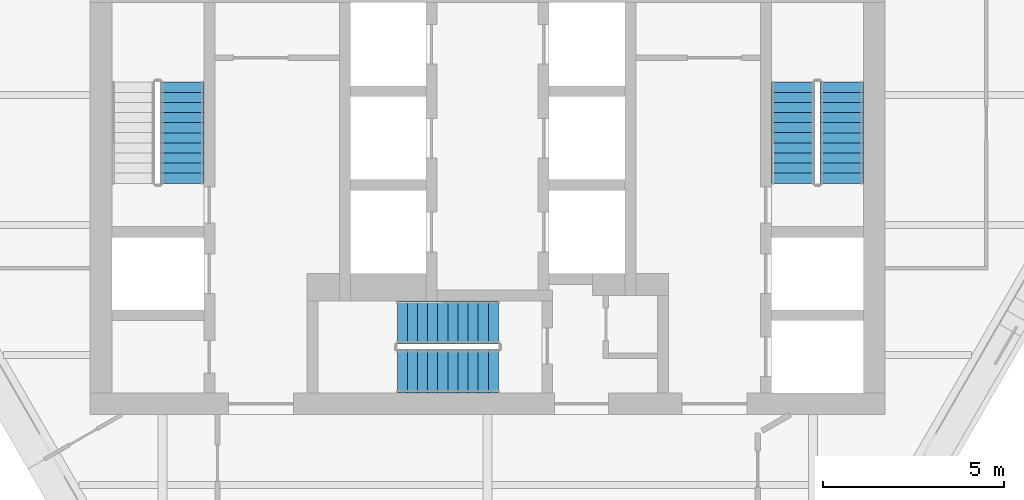
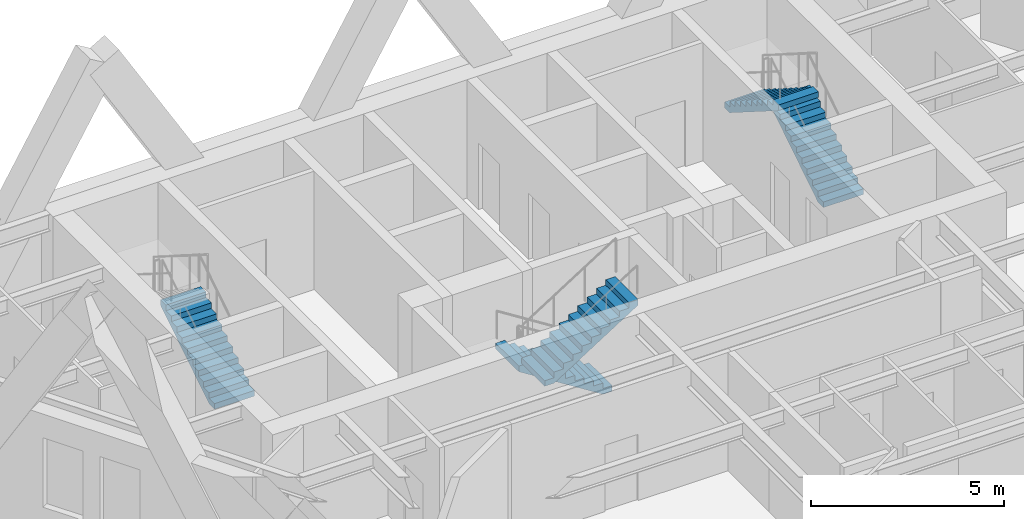
# One storey, part 7 of 9: 5 stair flights, 3 elements without a shape of their own.
"""IFC4 building model written with IfcOpenShell, lengths in metres."""

from ifc_helpers import new_model, si_unit, direction, frame, origin, place, context, subcontext, project, spatial, polyline, outline, extrude, material, type_object, element, aggregate, save


model = new_model("IFC4")

# Units and contexts
model_context = context("Model", 3, precision=1e-05, world=origin(), true_north=direction((0.0, 1.0)))
body_context = subcontext(model_context, "Body", "Model", "MODEL_VIEW")
ifc_project = project(units=[si_unit("LENGTHUNIT", "METRE"), si_unit("AREAUNIT", "SQUARE_METRE"), si_unit("VOLUMEUNIT", "CUBIC_METRE"), si_unit("PLANEANGLEUNIT", "RADIAN"), si_unit("MASSUNIT", "GRAM", prefix="KILO")], contexts=[model_context])

# Site, building, storey
site_placement = place(None, origin())
site = spatial("IfcSite", under=ifc_project, at=site_placement, CompositionType="ELEMENT")
building_placement = place(site_placement, origin())
building = spatial("IfcBuilding", under=site, at=building_placement, Name="Aloe Facet Convention Tower", CompositionType="ELEMENT")
storey_placement = place(building_placement, frame((0.0, 0.0, 277.699951171875)))
storey = spatial("IfcBuildingStorey", under=building, at=storey_placement, Name="L68", CompositionType="ELEMENT", Elevation=277.699951171875)

# Stair, stair flight
ifc_material_1 = material(Name="Concrete C50/60", Category="concrete")
stair_type = type_object("IfcStairType", Name="CR-ST-22R", PredefinedType="HALF_TURN_STAIR", material=ifc_material_1)
stair_1_placement = place(storey_placement, origin())
stair_1 = element("IfcStair", 1, at=stair_1_placement, inside=storey, type_object=stair_type, Name="L68 Protected exit stair ST1", PredefinedType="HALF_TURN_STAIR")
ifc_material_2 = material(Name="Concrete C50/60", Category="concrete")
stair_flight_type = type_object("IfcStairFlightType", Name="CR-SFL-22R", PredefinedType="STRAIGHT", material=ifc_material_2)
stair_flight_1_placement = place(storey_placement, frame((71.550048828125, 128.949951171875, 0.0), z_axis=(0.0, 0.0, 1.0), x_axis=(0.0, 1.0, 0.0)))
stair_flight_1 = element("IfcStairFlight", 2, at=stair_flight_1_placement, type_object=stair_flight_type, Name="ST1 flight 1", NumberOfRisers=11, NumberOfTreads=10, PredefinedType="STRAIGHT", RiserHeight=0.177272727, TreadLength=0.28, context=body_context, shape_type="SweptSolid", body=[
    extrude(outline(polyline([(0.0, 0.0), (0.0, 0.17724609375), (0.280029296875, 0.17724609375), (0.280029296875, 0.3544921875), (0.56005859375, 0.3544921875), (0.56005859375, 0.53173828125), (0.840087890625, 0.53173828125), (0.840087890625, 0.708984375), (1.1201171875, 0.708984375), (1.1201171875, 0.886474609375), (1.39990234375, 0.886474609375), (1.39990234375, 1.063720703125), (1.679931640625, 1.063720703125), (1.679931640625, 1.240966796875), (1.9599609375, 1.240966796875), (1.9599609375, 1.418212890625), (2.239990234375, 1.418212890625), (2.239990234375, 1.595458984375), (2.52001953125, 1.595458984375), (2.52001953125, 1.772705078125), (2.800048828125, 1.772705078125), (2.800048828125, 1.949951171875), (2.800048828125, 1.59521484375), (0.2802734375, 0.0), (0.0, 0.0)])), frame((0.0, 0.60009765625, 0.0), z_axis=(0.0, -1.0, 0.0), x_axis=(1.0, 0.0, 0.0)), (0.0, 0.0, 1.0), 1.199951171875),
])
aggregate(stair_1, [stair_flight_1])

# Stair, stair flights
stair_2_placement = place(storey_placement, origin())
stair_2 = element("IfcStair", 3, at=stair_2_placement, inside=storey, type_object=stair_type, Name="L68 Protected exit stair ST2", PredefinedType="HALF_TURN_STAIR")
stair_flight_2_placement = place(storey_placement, frame((89.800048828125, 128.949951171875, 0.0), z_axis=(0.0, 0.0, 1.0), x_axis=(0.0, 1.0, 0.0)))
stair_flight_2 = element("IfcStairFlight", 4, at=stair_flight_2_placement, type_object=stair_flight_type, Name="ST2 flight 1", NumberOfRisers=11, NumberOfTreads=10, PredefinedType="STRAIGHT", RiserHeight=0.177272727, TreadLength=0.28, context=body_context, shape_type="SweptSolid", body=[
    extrude(outline(polyline([(0.0, 0.0), (0.0, 0.17724609375), (0.280029296875, 0.17724609375), (0.280029296875, 0.3544921875), (0.56005859375, 0.3544921875), (0.56005859375, 0.53173828125), (0.840087890625, 0.53173828125), (0.840087890625, 0.708984375), (1.1201171875, 0.708984375), (1.1201171875, 0.886474609375), (1.39990234375, 0.886474609375), (1.39990234375, 1.063720703125), (1.679931640625, 1.063720703125), (1.679931640625, 1.240966796875), (1.9599609375, 1.240966796875), (1.9599609375, 1.418212890625), (2.239990234375, 1.418212890625), (2.239990234375, 1.595458984375), (2.52001953125, 1.595458984375), (2.52001953125, 1.772705078125), (2.800048828125, 1.772705078125), (2.800048828125, 1.949951171875), (2.800048828125, 1.59521484375), (0.2802734375, 0.0), (0.0, 0.0)])), frame((0.0, 0.60009765625, 0.0), z_axis=(0.0, -1.0, 0.0), x_axis=(1.0, 0.0, 0.0)), (0.0, 0.0, 1.0), 1.199951171875),
])
stair_flight_3_placement = place(storey_placement, frame((88.449951171875, 131.75, 1.949951171875), z_axis=(0.0, 0.0, 1.0), x_axis=(0.0, -1.0, 0.0)))
stair_flight_3 = element("IfcStairFlight", 5, at=stair_flight_3_placement, type_object=stair_flight_type, Name="ST2 flight 2", NumberOfRisers=11, NumberOfTreads=10, PredefinedType="STRAIGHT", RiserHeight=0.177272727, TreadLength=0.28, context=body_context, shape_type="SweptSolid", body=[
    extrude(outline(polyline([(0.0, 0.0), (0.0, 0.17724609375), (0.280029296875, 0.17724609375), (0.280029296875, 0.3544921875), (0.56005859375, 0.3544921875), (0.56005859375, 0.53173828125), (0.840087890625, 0.53173828125), (0.840087890625, 0.708984375), (1.1201171875, 0.708984375), (1.1201171875, 0.886474609375), (1.39990234375, 0.886474609375), (1.39990234375, 1.063720703125), (1.679931640625, 1.063720703125), (1.679931640625, 1.240966796875), (1.9599609375, 1.240966796875), (1.9599609375, 1.418212890625), (2.239990234375, 1.418212890625), (2.239990234375, 1.595458984375), (2.52001953125, 1.595458984375), (2.52001953125, 1.772705078125), (2.800048828125, 1.772705078125), (2.800048828125, 1.949951171875), (2.800048828125, 1.59521484375), (0.2802734375, 0.0), (0.0, 0.0)])), frame((0.0, 0.60009765625, 0.0), z_axis=(0.0, -1.0, 0.0), x_axis=(1.0, 0.0, 0.0)), (0.0, 0.0, 1.0), 1.199951171875),
])
aggregate(stair_2, [stair_flight_2, stair_flight_3])

stair_3_placement = place(storey_placement, origin())
stair_3 = element("IfcStair", 6, at=stair_3_placement, inside=storey, type_object=stair_type, Name="L68 Protected exit stair ST3", PredefinedType="HALF_TURN_STAIR")
stair_flight_4_placement = place(storey_placement, frame((80.300048828125, 125.10009765625, 0.0), z_axis=(0.0, 0.0, 1.0), x_axis=(-1.0, 0.0, 0.0)))
stair_flight_4 = element("IfcStairFlight", 7, at=stair_flight_4_placement, type_object=stair_flight_type, Name="ST3 flight 1", NumberOfRisers=11, NumberOfTreads=10, PredefinedType="STRAIGHT", RiserHeight=0.177272727, TreadLength=0.28, context=body_context, shape_type="SweptSolid", body=[
    extrude(outline(polyline([(0.0, 0.0), (0.0, 0.17724609375), (0.280029296875, 0.17724609375), (0.280029296875, 0.3544921875), (0.56005859375, 0.3544921875), (0.56005859375, 0.53173828125), (0.840087890625, 0.53173828125), (0.840087890625, 0.708984375), (1.1201171875, 0.708984375), (1.1201171875, 0.886474609375), (1.39990234375, 0.886474609375), (1.39990234375, 1.063720703125), (1.679931640625, 1.063720703125), (1.679931640625, 1.240966796875), (1.9599609375, 1.240966796875), (1.9599609375, 1.418212890625), (2.239990234375, 1.418212890625), (2.239990234375, 1.595458984375), (2.52001953125, 1.595458984375), (2.52001953125, 1.772705078125), (2.800048828125, 1.772705078125), (2.800048828125, 1.949951171875), (2.800048828125, 1.59521484375), (0.2802734375, 0.0), (0.0, 0.0)])), frame((0.0, 0.60009765625, 0.0), z_axis=(0.0, -1.0, 0.0), x_axis=(1.0, 0.0, 0.0)), (0.0, 0.0, 1.0), 1.199951171875),
])
stair_flight_5_placement = place(storey_placement, frame((77.5, 123.75, 1.949951171875), z_axis=(0.0, 0.0, 1.0), x_axis=(1.0, 0.0, 0.0)))
stair_flight_5 = element("IfcStairFlight", 8, at=stair_flight_5_placement, type_object=stair_flight_type, Name="ST3 flight 2", NumberOfRisers=11, NumberOfTreads=10, PredefinedType="STRAIGHT", RiserHeight=0.177272727, TreadLength=0.28, context=body_context, shape_type="SweptSolid", body=[
    extrude(outline(polyline([(0.0, 0.0), (0.0, 0.17724609375), (0.280029296875, 0.17724609375), (0.280029296875, 0.3544921875), (0.56005859375, 0.3544921875), (0.56005859375, 0.53173828125), (0.840087890625, 0.53173828125), (0.840087890625, 0.708984375), (1.1201171875, 0.708984375), (1.1201171875, 0.886474609375), (1.39990234375, 0.886474609375), (1.39990234375, 1.063720703125), (1.679931640625, 1.063720703125), (1.679931640625, 1.240966796875), (1.9599609375, 1.240966796875), (1.9599609375, 1.418212890625), (2.239990234375, 1.418212890625), (2.239990234375, 1.595458984375), (2.52001953125, 1.595458984375), (2.52001953125, 1.772705078125), (2.800048828125, 1.772705078125), (2.800048828125, 1.949951171875), (2.800048828125, 1.59521484375), (0.2802734375, 0.0), (0.0, 0.0)])), frame((0.0, 0.60009765625, 0.0), z_axis=(0.0, -1.0, 0.0), x_axis=(1.0, 0.0, 0.0)), (0.0, 0.0, 1.0), 1.199951171875),
])
aggregate(stair_3, [stair_flight_4, stair_flight_5])

save(model, "model.ifc")
